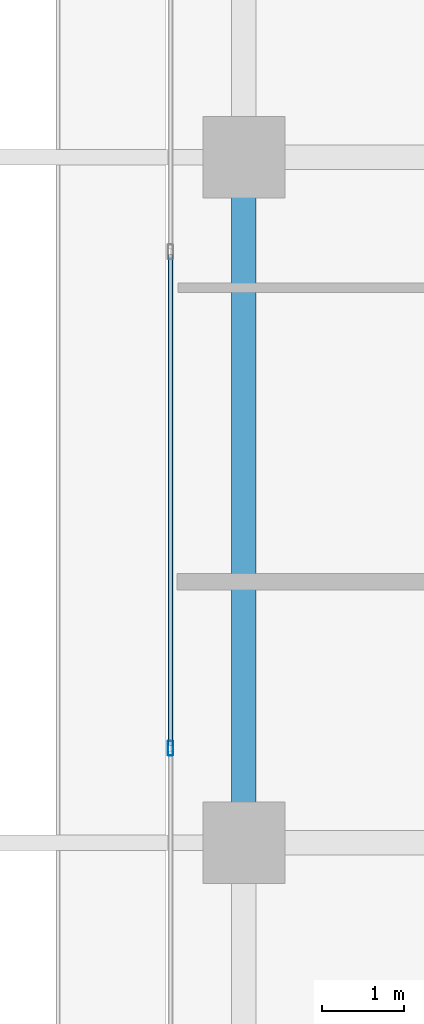
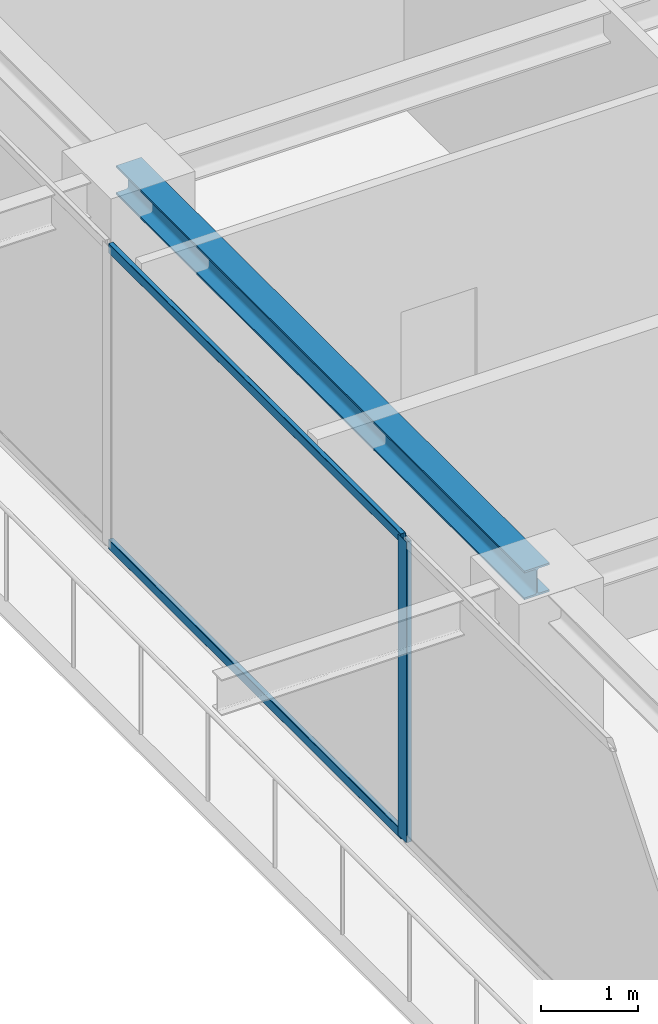
# One storey, part 8 of 40: 3 members, 1 beam, 1 element without a shape of its own.
"""IFC4 building model written with IfcOpenShell, lengths in metres."""

from ifc_helpers import new_model, si_unit, direction, frame, origin, origin_2d, place, context, subcontext, project, spatial, hollow_rectangle, i_section, extrude, source, transform, mapped, material, layer, layer_set, material_profile, profile_set, type_object, element, aggregate, save


model = new_model("IFC4")

# Units and contexts
model_context = context("Model", 3, precision=1e-05, world=origin(), true_north=direction((0.0, 1.0)))
body_context = subcontext(model_context, "Body", "Model", "MODEL_VIEW")
ifc_project = project(units=[si_unit("LENGTHUNIT", "METRE"), si_unit("AREAUNIT", "SQUARE_METRE"), si_unit("VOLUMEUNIT", "CUBIC_METRE"), si_unit("PLANEANGLEUNIT", "RADIAN"), si_unit("MASSUNIT", "GRAM", prefix="KILO")], contexts=[model_context])

# Site, building, storey
site_placement = place(None, origin())
site = spatial("IfcSite", under=ifc_project, at=site_placement, CompositionType="ELEMENT")
building_placement = place(site_placement, origin())
building = spatial("IfcBuilding", under=site, at=building_placement, Name="Serunith Strait Residences", CompositionType="ELEMENT")
storey_placement = place(building_placement, frame((0.0, 0.0, 313.699951171875)))
storey = spatial("IfcBuildingStorey", under=building, at=storey_placement, Name="L78", CompositionType="ELEMENT", Elevation=313.699951171875)

# Beam
ifc_material_1 = material(Name="Steel S355J2", Category="steel")
ifc_material_profile_1 = material_profile(ifc_material_1, i_section(OverallWidth=0.300048828125, OverallDepth=0.360107421875, WebThickness=0.012451171875, FlangeThickness=0.0224609375, FilletRadius=0.027099609375, at=origin_2d()), Name="HEB 360")
ifc_profile_set_1 = profile_set([ifc_material_profile_1], Name="Steel S355J2")
beam_type = type_object("IfcBeamType", Name="BM-HEB360", PredefinedType="BEAM", material=ifc_profile_set_1)
shared_shape_1 = source(origin(), body_context, "Body", "SweptSolid", [
    extrude(i_section(OverallWidth=0.300048828125, OverallDepth=0.360107421875, WebThickness=0.012451171875, FlangeThickness=0.0224609375, FilletRadius=0.027099609375, at=origin_2d()), origin(), (0.0, 0.0, 1.0), 8.39990234375),
])
beam_placement = place(storey_placement, frame((10.10009765625, 29.39990234375, 3.60693359375), z_axis=(0.0, -1.0, 0.0), x_axis=(1.0, 0.0, 0.0)))
element("IfcBeam", 1, at=beam_placement, inside=storey, type_object=beam_type, Name="L78 Perimeter Ring Beam 14", PredefinedType="BEAM", context=body_context, shape_type="MappedRepresentation", body=[
    mapped(shared_shape_1, transform((0.0, 0.0, 0.0), scale=1.0)),
])

# Curtain wall, members
ifc_material_2 = material(Name="Brushed Stainless-Silver Aluminium", Category="aluminium")
ifc_layer = layer(ifc_material_2, 0.199951171875, Name="Brushed Stainless-Silver Aluminium")
ifc_layer_set = layer_set([ifc_layer], Name="Brushed Stainless-Silver Aluminium")
curtain_wall_type = type_object("IfcCurtainWallType", Name="CW-SYS5", PredefinedType="NOTDEFINED", material=ifc_layer_set)
curtain_wall_placement = place(storey_placement, origin())
curtain_wall = element("IfcCurtainWall", 2, at=curtain_wall_placement, inside=storey, type_object=curtain_wall_type, Name="L78 W Unitised Fritted Curtain Wall", PredefinedType="NOTDEFINED")
ifc_material_profile_2 = material_profile(ifc_material_2, hollow_rectangle(XDim=0.06494140625, YDim=0.179931640625, WallThickness=0.00341796875, InnerFilletRadius=0.00537109375, OuterFilletRadius=0.0087890625, at=origin_2d()), Name="ALU 180x65x3.5")
ifc_profile_set_2 = profile_set([ifc_material_profile_2], Name="Brushed Stainless-Silver Aluminium")
member_type_1 = type_object("IfcMemberType", Name="CW-SYS5-MULL", PredefinedType="MULLION", material=ifc_profile_set_2)
shared_shape_2 = source(origin(), body_context, "Body", "SweptSolid", [
    extrude(hollow_rectangle(XDim=0.06494140625, YDim=0.179931640625, WallThickness=0.00341796875, InnerFilletRadius=0.00537109375, OuterFilletRadius=0.0087890625, at=origin_2d()), origin(), (0.0, 0.0, 1.0), 3.775146484375),
])
member_1_placement = place(storey_placement, frame((9.199951171875, 22.159912109375, 0.0), z_axis=(0.0, 0.0, 1.0), x_axis=(1.0, 0.0, 0.0)))
member_1 = element("IfcMember", 3, at=member_1_placement, type_object=member_type_1, Name="CW-5 mullion 4", PredefinedType="MULLION", context=body_context, shape_type="MappedRepresentation", body=[
    mapped(shared_shape_2, transform((0.0, 0.0, 0.0), scale=1.0)),
])
ifc_material_profile_3 = material_profile(ifc_material_2, hollow_rectangle(XDim=0.06005859375, YDim=0.1201171875, WallThickness=0.00341796875, InnerFilletRadius=0.00537109375, OuterFilletRadius=0.0087890625, at=origin_2d()), Name="ALU 120x60x3.5")
ifc_profile_set_3 = profile_set([ifc_material_profile_3], Name="Brushed Stainless-Silver Aluminium")
member_type_2 = type_object("IfcMemberType", Name="CW-SYS5-TRAN", PredefinedType="USERDEFINED", material=ifc_profile_set_3)
shared_shape_3 = source(origin(), body_context, "Body", "SweptSolid", [
    extrude(hollow_rectangle(XDim=0.06005859375, YDim=0.1201171875, WallThickness=0.00341796875, InnerFilletRadius=0.00537109375, OuterFilletRadius=0.0087890625, at=origin_2d()), origin(), (0.0, 0.0, 1.0), 6.01513671875),
])
member_2_placement = place(storey_placement, frame((9.199951171875, 28.20751953125, 0.030029296875), z_axis=(0.0, -1.0, 0.0), x_axis=(1.0, 0.0, 0.0)))
member_2 = element("IfcMember", 4, at=member_2_placement, type_object=member_type_2, Name="CW-5 transom 3.1", ObjectType="TRANSOM", PredefinedType="USERDEFINED", context=body_context, shape_type="MappedRepresentation", body=[
    mapped(shared_shape_3, transform((0.0, 0.0, 0.0), scale=1.0)),
])
member_3_placement = place(storey_placement, frame((9.199951171875, 28.20751953125, 3.7451171875), z_axis=(0.0, -1.0, 0.0), x_axis=(1.0, 0.0, 0.0)))
member_3 = element("IfcMember", 5, at=member_3_placement, type_object=member_type_2, Name="CW-5 transom 3.2", ObjectType="TRANSOM", PredefinedType="USERDEFINED", context=body_context, shape_type="MappedRepresentation", body=[
    mapped(shared_shape_3, transform((0.0, 0.0, 0.0), scale=1.0)),
])
aggregate(curtain_wall, [member_1, member_2, member_3])

save(model, "model.ifc")
